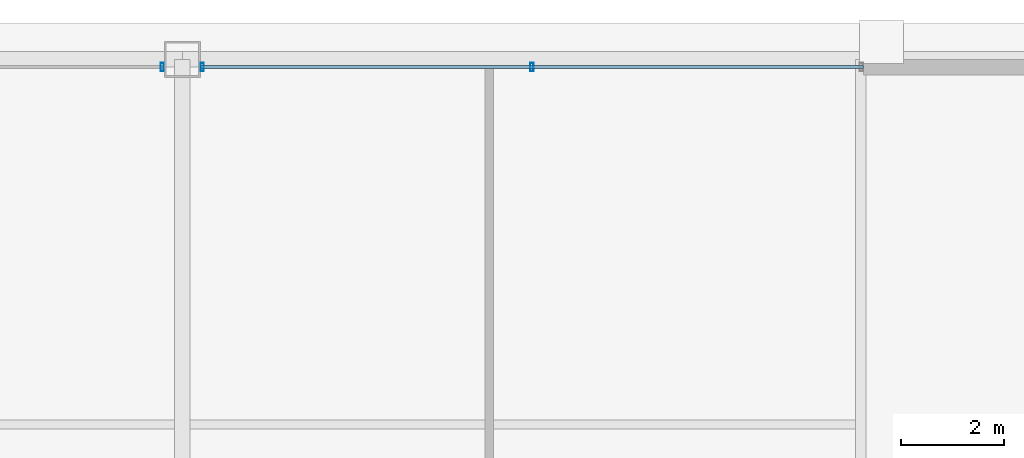
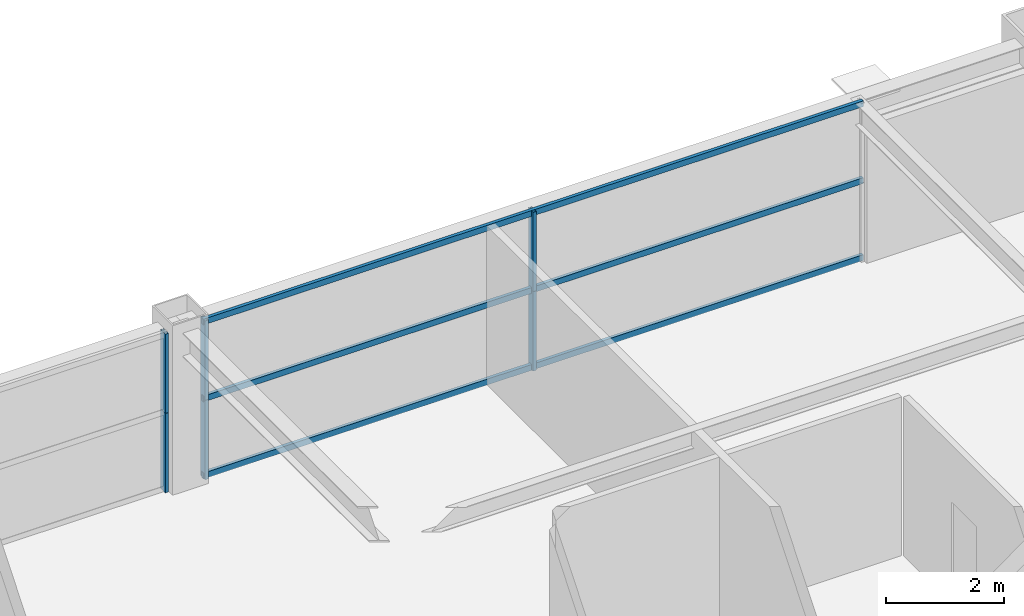
# One storey, part 28 of 36: 9 members, 2 elements without a shape of their own.
"""IFC4 building model written with IfcOpenShell, lengths in metres."""

from ifc_helpers import new_model, si_unit, direction, frame, origin, origin_2d, place, context, subcontext, project, spatial, hollow_rectangle, extrude, source, transform, mapped, material, layer, layer_set, material_profile, profile_set, type_object, element, aggregate, save


model = new_model("IFC4")

# Units and contexts
model_context = context("Model", 3, precision=1e-05, world=origin(), true_north=direction((0.0, 1.0)))
body_context = subcontext(model_context, "Body", "Model", "MODEL_VIEW")
ifc_project = project(units=[si_unit("LENGTHUNIT", "METRE"), si_unit("AREAUNIT", "SQUARE_METRE"), si_unit("VOLUMEUNIT", "CUBIC_METRE"), si_unit("PLANEANGLEUNIT", "RADIAN"), si_unit("MASSUNIT", "GRAM", prefix="KILO"), si_unit("THERMODYNAMICTEMPERATUREUNIT", "KELVIN"), si_unit("POWERUNIT", "WATT")], contexts=[model_context])

# Site, building, storey
site_placement = place(None, origin())
site = spatial("IfcSite", under=ifc_project, at=site_placement, CompositionType="ELEMENT")
building_placement = place(site_placement, origin())
building = spatial("IfcBuilding", under=site, at=building_placement, Name="Yuzanri Waterfront Tower", CompositionType="ELEMENT")
storey_placement = place(building_placement, frame((0.0, 0.0, 238.10009765625)))
storey = spatial("IfcBuildingStorey", under=building, at=storey_placement, Name="L63", CompositionType="ELEMENT", Elevation=238.10009765625)

# Curtain wall, members
ifc_material_1 = material(Name="Anodized Architectural Bronze", Category="metal")
ifc_layer = layer(ifc_material_1, 0.159912109375)
ifc_layer_set = layer_set([ifc_layer], Name="Anodized Architectural Bronze")
curtain_wall_type = type_object("IfcCurtainWallType", Name="Anodized Bronze Mid-Rise Residential Acoustic Unitized Curtain Wall 7200", PredefinedType="NOTDEFINED", material=ifc_layer_set)
curtain_wall_1_placement = place(storey_placement, origin())
curtain_wall_1 = element("IfcCurtainWall", 1, at=curtain_wall_1_placement, inside=storey, type_object=curtain_wall_type, Name="L63 Curtain Wall CW-L63-NL", PredefinedType="NOTDEFINED")
ifc_material_2 = material(Name="Anodized Architectural Bronze", Category="metal")
ifc_material_profile_1 = material_profile(ifc_material_2, hollow_rectangle(XDim=0.06494140625, YDim=0.159912109375, WallThickness=0.00341796875, at=origin_2d()), Name="CWM 65x160")
ifc_profile_set_1 = profile_set([ifc_material_profile_1], Name="Anodized Architectural Bronze")
member_type_1 = type_object("IfcMemberType", Name="Anodized Bronze Upper-Zone Curtain-Wall Mullion 65x160", PredefinedType="MULLION", material=ifc_profile_set_1)
shared_shape_1 = source(origin(), body_context, "Body", "SweptSolid", [
    extrude(hollow_rectangle(XDim=0.06494140625, YDim=0.159912109375, WallThickness=0.00341796875, at=origin_2d()), origin(), (0.0, 0.0, 1.0), 1.637939453125),
])
member_1_placement = place(storey_placement, frame((36.610107421875, 46.25, 0.0), z_axis=(0.0, 0.0, 1.0), x_axis=(1.0, 0.0, 0.0)))
member_1 = element("IfcMember", 2, at=member_1_placement, type_object=member_type_1, Name="CW-L63-NL Lower Mullion 02", PredefinedType="MULLION", context=body_context, shape_type="MappedRepresentation", body=[
    mapped(shared_shape_1, transform((0.0, 0.0, 0.0), scale=1.0)),
])
member_2_placement = place(storey_placement, frame((36.610107421875, 46.25, 1.641845703125), z_axis=(0.0, 0.0, 1.0), x_axis=(1.0, 0.0, 0.0)))
member_2 = element("IfcMember", 3, at=member_2_placement, type_object=member_type_1, Name="CW-L63-NL Upper Mullion 02", PredefinedType="MULLION", context=body_context, shape_type="MappedRepresentation", body=[
    mapped(shared_shape_1, transform((0.0, 0.0, 0.0), scale=1.0)),
])
aggregate(curtain_wall_1, [member_1, member_2])

curtain_wall_2_placement = place(storey_placement, origin())
curtain_wall_2 = element("IfcCurtainWall", 4, at=curtain_wall_2_placement, inside=storey, type_object=curtain_wall_type, Name="L63 Curtain Wall CW-L63-NR", PredefinedType="NOTDEFINED")
member_3_placement = place(storey_placement, frame((37.389892578125, 46.25, 0.0), z_axis=(0.0, 0.0, 1.0), x_axis=(1.0, 0.0, 0.0)))
member_3 = element("IfcMember", 5, at=member_3_placement, type_object=member_type_1, Name="CW-L63-NR Lower Mullion 00", PredefinedType="MULLION", context=body_context, shape_type="MappedRepresentation", body=[
    mapped(shared_shape_1, transform((0.0, 0.0, 0.0), scale=1.0)),
])
member_4_placement = place(storey_placement, frame((37.389892578125, 46.25, 1.641845703125), z_axis=(0.0, 0.0, 1.0), x_axis=(1.0, 0.0, 0.0)))
member_4 = element("IfcMember", 6, at=member_4_placement, type_object=member_type_1, Name="CW-L63-NR Upper Mullion 00", PredefinedType="MULLION", context=body_context, shape_type="MappedRepresentation", body=[
    mapped(shared_shape_1, transform((0.0, 0.0, 0.0), scale=1.0)),
])
member_5_placement = place(storey_placement, frame((43.800048828125, 46.25, 0.0), z_axis=(0.0, 0.0, 1.0), x_axis=(1.0, 0.0, 0.0)))
member_5 = element("IfcMember", 7, at=member_5_placement, type_object=member_type_1, Name="CW-L63-NR Lower Mullion 01", PredefinedType="MULLION", context=body_context, shape_type="MappedRepresentation", body=[
    mapped(shared_shape_1, transform((0.0, 0.0, 0.0), scale=1.0)),
])
member_6_placement = place(storey_placement, frame((43.800048828125, 46.25, 1.641845703125), z_axis=(0.0, 0.0, 1.0), x_axis=(1.0, 0.0, 0.0)))
member_6 = element("IfcMember", 8, at=member_6_placement, type_object=member_type_1, Name="CW-L63-NR Upper Mullion 01", PredefinedType="MULLION", context=body_context, shape_type="MappedRepresentation", body=[
    mapped(shared_shape_1, transform((0.0, 0.0, 0.0), scale=1.0)),
])
ifc_material_3 = material(Name="Anodized Architectural Bronze", Category="metal")
ifc_material_profile_2 = material_profile(ifc_material_3, hollow_rectangle(XDim=0.06494140625, YDim=0.1201171875, WallThickness=0.00341796875, at=origin_2d()), Name="CWT 65x120")
ifc_profile_set_2 = profile_set([ifc_material_profile_2], Name="Anodized Architectural Bronze")
member_type_2 = type_object("IfcMemberType", Name="Anodized Bronze Secondary Curtain-Wall Transom 65x120", PredefinedType="USERDEFINED", material=ifc_profile_set_2)
shared_shape_2 = source(origin(), body_context, "Body", "SweptSolid", [
    extrude(hollow_rectangle(XDim=0.06494140625, YDim=0.1201171875, WallThickness=0.00341796875, at=origin_2d()), origin(), (0.0, 0.0, 1.0), 12.89990234375),
])
member_7_placement = place(storey_placement, frame((37.35009765625, 46.25, 0.0498046875), z_axis=(1.0, 0.0, 0.0), x_axis=(0.0, 1.0, 0.0)))
member_7 = element("IfcMember", 9, at=member_7_placement, type_object=member_type_2, Name="CW-L63-NR Transom 1", ObjectType="TRANSOM", PredefinedType="USERDEFINED", context=body_context, shape_type="MappedRepresentation", body=[
    mapped(shared_shape_2, transform((0.0, 0.0, 0.0), scale=1.0)),
])
member_8_placement = place(storey_placement, frame((37.35009765625, 46.25, 1.639892578125), z_axis=(1.0, 0.0, 0.0), x_axis=(0.0, 1.0, 0.0)))
member_8 = element("IfcMember", 10, at=member_8_placement, type_object=member_type_2, Name="CW-L63-NR Transom 2", ObjectType="TRANSOM", PredefinedType="USERDEFINED", context=body_context, shape_type="MappedRepresentation", body=[
    mapped(shared_shape_2, transform((0.0, 0.0, 0.0), scale=1.0)),
])
member_9_placement = place(storey_placement, frame((37.35009765625, 46.25, 3.22998046875), z_axis=(1.0, 0.0, 0.0), x_axis=(0.0, 1.0, 0.0)))
member_9 = element("IfcMember", 11, at=member_9_placement, type_object=member_type_2, Name="CW-L63-NR Transom 3", ObjectType="TRANSOM", PredefinedType="USERDEFINED", context=body_context, shape_type="MappedRepresentation", body=[
    mapped(shared_shape_2, transform((0.0, 0.0, 0.0), scale=1.0)),
])
aggregate(curtain_wall_2, [member_3, member_4, member_5, member_6, member_7, member_8, member_9])

save(model, "model.ifc")
